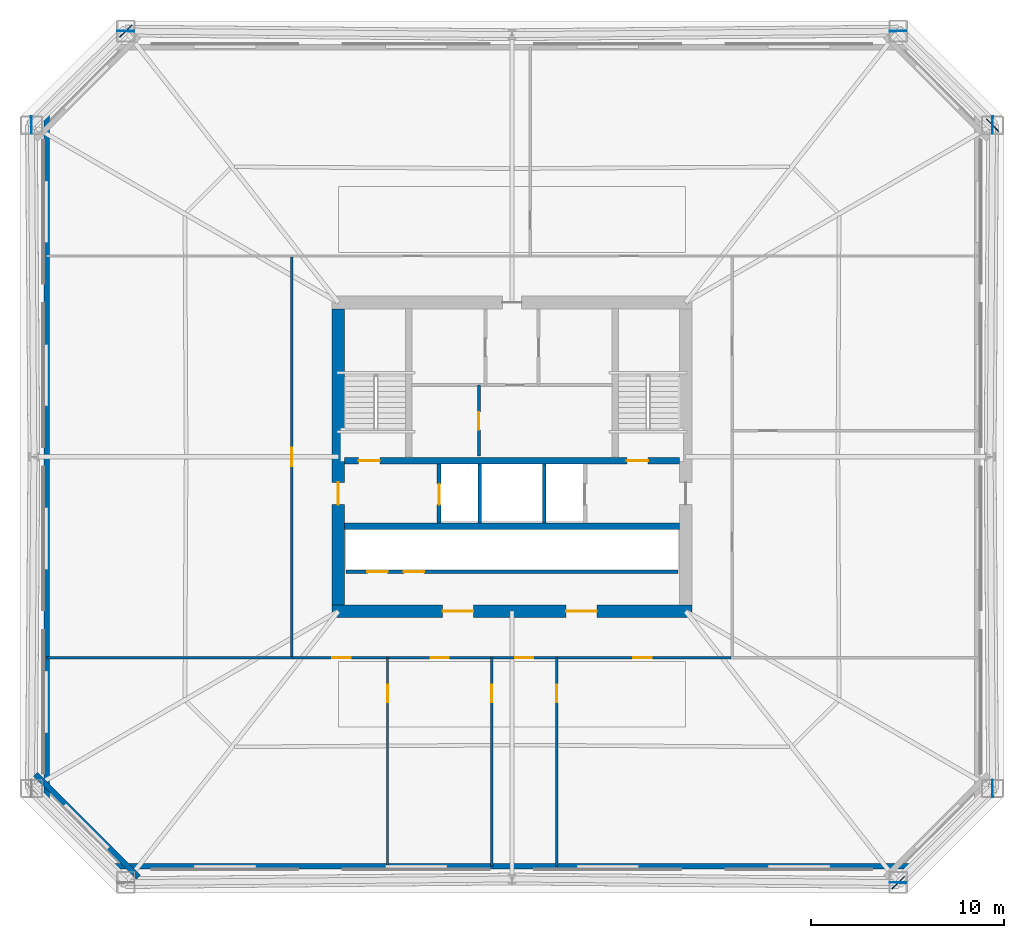
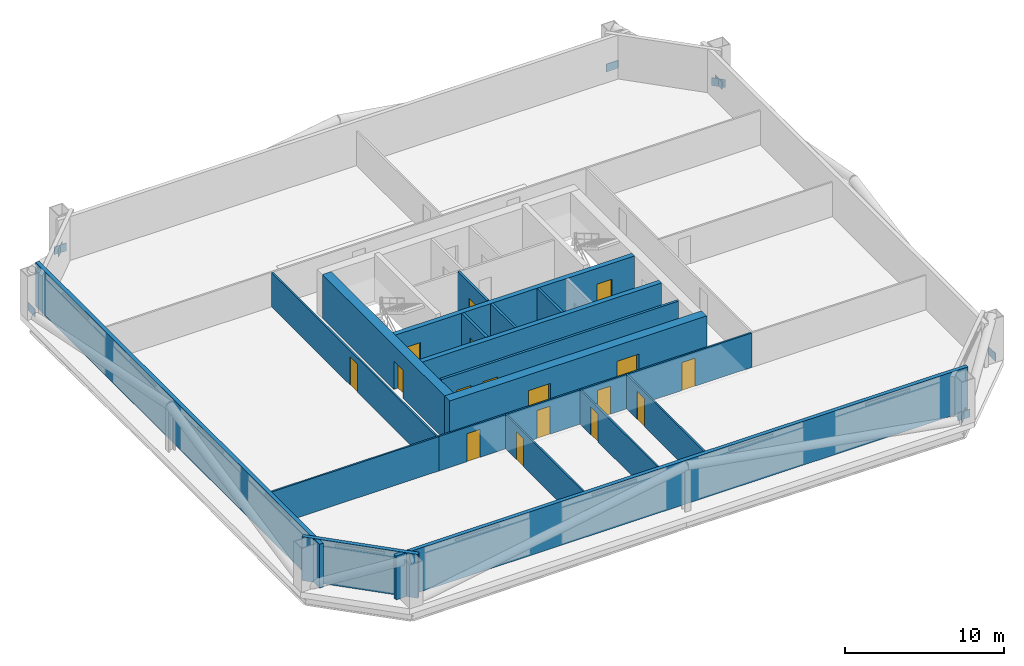
# One storey, part 4 of 8: 18 walls, 17 doors, 9 plates, 17 openings.
"""IFC4 building model written with IfcOpenShell, lengths in metres."""

from ifc_helpers import new_model, si_unit, direction, frame, frame_2d, origin, origin_2d, place, context, subcontext, project, spatial, rectangle, extrude, material, layer, layer_set, type_object, element, fill, save


model = new_model("IFC4")

# Units and contexts
model_context = context("Model", 3, precision=1e-05, world=origin(), true_north=direction((0.0, 1.0)))
body_context = subcontext(model_context, "Body", "Model", "MODEL_VIEW")
ifc_project = project(units=[si_unit("LENGTHUNIT", "METRE"), si_unit("AREAUNIT", "SQUARE_METRE"), si_unit("VOLUMEUNIT", "CUBIC_METRE"), si_unit("PLANEANGLEUNIT", "RADIAN"), si_unit("MASSUNIT", "GRAM", prefix="KILO")], contexts=[model_context])

# Site, building, storey
site_placement = place(None, origin())
site = spatial("IfcSite", under=ifc_project, at=site_placement, CompositionType="ELEMENT")
building_placement = place(site_placement, origin())
building = spatial("IfcBuilding", under=site, at=building_placement, Name="Caelvoria Tower", CompositionType="ELEMENT")
storey_placement = place(building_placement, frame((0.0, 0.0, 49.60009765625)))
storey = spatial("IfcBuildingStorey", under=building, at=storey_placement, Name="L12", CompositionType="ELEMENT", Elevation=49.60009765625)

# Plates
ifc_material_1 = material(Name="Structural Steel ASTM A572 Gr.50", Category="steel")
ifc_layer_1 = layer(ifc_material_1, 0.0400390625, Name="Structural Steel ASTM A572 Gr.50")
ifc_layer_set_1 = layer_set([ifc_layer_1], Name="Megaframe Node Gusset Plate 900x600x40 - Structural Steel ASTM A572 Gr.50")
plate_type = type_object("IfcPlateType", Name="Megaframe Node Gusset Plate 900x600x40", PredefinedType="USERDEFINED", material=ifc_layer_set_1)
for number, where, z_axis, x_axis, name in (
    (1, (66.016357421875, 9.933349609375, 0.019775390625), (0.0, 0.0, 1.0), (0.708220325679, 0.705991480328, 0.0), "Chamfer Mega Brace Gusset L12 SE"),
    (2, (70.907470703125, 49.19091796875, 0.019775390625), (0.0, 0.0, 1.0), (-0.708220325679, 0.705991480328, 0.0), "Chamfer Mega Brace Gusset L12 NE"),
    (3, (25.983642578125, 54.066650390625, 0.019775390625), (0.0, 0.0, 1.0), (-0.708220325679, -0.705991480328, 0.0), "Chamfer Mega Brace Gusset L12 NW"),
    (4, (66.016357421875, 9.933349609375, 0.0498046875), (0.0, 0.0, 1.0), (-0.999956503482, 0.009326904291, 0.0), "Megaframe Node Gusset Plate ND-01"),
    (5, (70.907470703125, 14.80908203125, 0.0498046875), (0.0, 0.0, 1.0), (-0.007410600174, 0.999972541126, 0.0), "Megaframe Node Gusset Plate ND-01"),
    (6, (70.907470703125, 49.19091796875, 0.0498046875), (0.0, 0.0, 1.0), (-0.007410600174, -0.999972541126, 0.0), "Megaframe Node Gusset Plate ND-01"),
    (7, (66.016357421875, 54.066650390625, 0.0498046875), (0.0, 0.0, 1.0), (-0.999956503482, -0.009326904291, 0.0), "Megaframe Node Gusset Plate ND-01"),
    (8, (25.983642578125, 54.066650390625, 0.0498046875), (0.0, 0.0, 1.0), (0.999956503482, -0.009326904291, 0.0), "Megaframe Node Gusset Plate ND-01"),
    (9, (21.092529296875, 49.19091796875, 0.0498046875), (0.0, 0.0, 1.0), (0.007410600174, -0.999972541126, 0.0), "Megaframe Node Gusset Plate ND-01"),
):
    element("IfcPlate", number, at=place(storey_placement, frame(where, z_axis=z_axis, x_axis=x_axis)), inside=storey, type_object=plate_type, Name=name, ObjectType="GUSSET_PLATE", PredefinedType="USERDEFINED", context=body_context, shape_type="SweptSolid", body=[
        extrude(rectangle(XDim=0.89990234375, YDim=0.0400390625, at=origin_2d()), origin(), (0.0, 0.0, 1.0), 0.60009765625),
    ])

# Wall, openings, doors
ifc_material_2 = material(Name="Concrete C50/60", Category="concrete")
ifc_layer_2 = layer(ifc_material_2, 0.35009765625, Name="Concrete C50/60")
ifc_layer_set_2 = layer_set([ifc_layer_2], Name="Core Internal Shear Wall 350 - Concrete C50/60")
wall_type_1 = type_object("IfcWallType", Name="Core Internal Shear Wall 350", PredefinedType="SHEAR", material=ifc_layer_set_2)
wall_1_placement = place(storey_placement, frame((37.324951171875, 31.800048828125, 0.0), z_axis=(0.0, 0.0, 1.0), x_axis=(1.0, 0.0, 0.0)))
wall_1 = element("IfcWall", 10, at=wall_1_placement, inside=storey, type_object=wall_type_1, Name="Core Shear Wall L12 M1", PredefinedType="SHEAR", context=body_context, shape_type="SweptSolid", body=[
    extrude(rectangle(XDim=17.35009765625, YDim=0.35009765625, at=frame_2d((8.675048828125, 0.0))), origin(), (0.0, 0.0, 1.0), 3.35986328125),
])
opening_1_placement = place(wall_1_placement, frame((0.72509765625, 0.0, 0.0)))
opening_1 = element("IfcOpeningElement", 11, at=opening_1_placement, cuts=wall_1, Name="Opening ID-01", PredefinedType="OPENING", context=body_context, shape_type="SweptSolid", body=[
    extrude(rectangle(XDim=1.10009765625, YDim=2.14990234375, at=frame_2d((0.550048828125, 1.074951171875))), frame((0.0, 0.18505859375, 0.0), z_axis=(0.0, -1.0, 0.0), x_axis=(1.0, 0.0, 0.0)), (0.0, 0.0, 1.0), 0.3701171875),
])
opening_2_placement = place(wall_1_placement, frame((14.625, 0.0, 0.0)))
opening_2 = element("IfcOpeningElement", 12, at=opening_2_placement, cuts=wall_1, Name="Opening ID-01", PredefinedType="OPENING", context=body_context, shape_type="SweptSolid", body=[
    extrude(rectangle(XDim=1.10009765625, YDim=2.14990234375, at=frame_2d((0.550048828125, 1.074951171875))), frame((0.0, 0.18505859375, 0.0), z_axis=(0.0, -1.0, 0.0), x_axis=(1.0, 0.0, 0.0)), (0.0, 0.0, 1.0), 0.3701171875),
])
ifc_material_3 = material(Name="Painted Hollow Steel Fire Door", Category="steel")
door_type_1 = type_object("IfcDoorType", Name="Fire Door FD90S 1100x2150", OperationType="NOTDEFINED", PredefinedType="DOOR", material=ifc_material_3)
door_1_placement = place(opening_1_placement, origin())
door_1 = element("IfcDoor", 13, at=door_1_placement, inside=storey, type_object=door_type_1, Name="Core Door DR-L12-ST1", OperationType="SINGLE_SWING_LEFT", OverallHeight=2.14990234375, OverallWidth=1.10009765625, PredefinedType="DOOR", context=body_context, shape_type="SweptSolid", body=[
    extrude(rectangle(XDim=1.10009765625, YDim=2.14990234375, at=frame_2d((0.550048828125, 1.074951171875))), frame((0.0, 0.02490234375, 0.0), z_axis=(0.0, -1.0, 0.0), x_axis=(1.0, 0.0, 0.0)), (0.0, 0.0, 1.0), 0.050048828125),
])
fill(opening_1, door_1)
door_2_placement = place(opening_2_placement, origin())
door_2 = element("IfcDoor", 14, at=door_2_placement, inside=storey, type_object=door_type_1, Name="Core Door DR-L12-ST2", OperationType="SINGLE_SWING_RIGHT", OverallHeight=2.14990234375, OverallWidth=1.10009765625, PredefinedType="DOOR", context=body_context, shape_type="SweptSolid", body=[
    extrude(rectangle(XDim=1.10009765625, YDim=2.14990234375, at=frame_2d((0.550048828125, 1.074951171875))), frame((0.0, 0.02490234375, 0.0), z_axis=(0.0, -1.0, 0.0), x_axis=(1.0, 0.0, 0.0)), (0.0, 0.0, 1.0), 0.050048828125),
])
fill(opening_2, door_2)

# Wall
wall_2_placement = place(storey_placement, frame((37.324951171875, 28.39990234375, 0.0), z_axis=(0.0, 0.0, 1.0), x_axis=(1.0, 0.0, 0.0)))
element("IfcWall", 15, at=wall_2_placement, inside=storey, type_object=wall_type_1, Name="Core Shear Wall L12 M2", PredefinedType="SHEAR", context=body_context, shape_type="SweptSolid", body=[
    extrude(rectangle(XDim=17.35009765625, YDim=0.35009765625, at=frame_2d((8.675048828125, 0.0))), origin(), (0.0, 0.0, 1.0), 3.35986328125),
])

# Wall, opening, door
ifc_material_4 = material(Name="Double Gypsum Board on Steel Stud", Category="steel")
ifc_layer_3 = layer(ifc_material_4, 0.14990234375, Name="Double Gypsum Board on Steel Stud")
ifc_layer_set_3 = layer_set([ifc_layer_3], Name="Core Service Acoustic Partition Wall 150 - Double Gypsum Board on Steel Stud")
wall_type_2 = type_object("IfcWallType", Name="Core Service Acoustic Partition Wall 150", PredefinedType="PARTITIONING", material=ifc_layer_set_3)
wall_3_placement = place(storey_placement, frame((44.280029296875, 32.050048828125, 0.0), z_axis=(0.0, 0.0, 1.0), x_axis=(0.0, 1.0, 0.0)))
wall_3 = element("IfcWall", 16, at=wall_3_placement, inside=storey, type_object=wall_type_2, Name="Interior Partition IW-L12-C0M", PredefinedType="PARTITIONING", context=body_context, shape_type="SweptSolid", body=[
    extrude(rectangle(XDim=3.669921875, YDim=0.14990234375, at=frame_2d((1.8349609375, 0.0))), origin(), (0.0, 0.0, 1.0), 3.35986328125),
])
opening_3_placement = place(wall_3_placement, frame((1.35009765625, 0.0, 0.0)))
opening_3 = element("IfcOpeningElement", 17, at=opening_3_placement, cuts=wall_3, Name="Opening ID-07", PredefinedType="OPENING", context=body_context, shape_type="SweptSolid", body=[
    extrude(rectangle(XDim=0.919921875, YDim=2.14990234375, at=frame_2d((0.4599609375, 1.074951171875))), frame((0.0, 0.0849609375, 0.0), z_axis=(0.0, -1.0, 0.0), x_axis=(1.0, 0.0, 0.0)), (0.0, 0.0, 1.0), 0.169921875),
])
ifc_material_5 = material(Name="Engineered Andean Oak Accessible Door", Category="wood")
door_type_2 = type_object("IfcDoorType", Name="Accessible WC Door 950x2150", OperationType="NOTDEFINED", PredefinedType="DOOR", material=ifc_material_5)
door_3_placement = place(opening_3_placement, origin())
door_3 = element("IfcDoor", 18, at=door_3_placement, inside=storey, type_object=door_type_2, Name="Interior Door DR-L12-C05", OperationType="SINGLE_SWING_LEFT", OverallHeight=2.14990234375, OverallWidth=0.919921875, PredefinedType="DOOR", context=body_context, shape_type="SweptSolid", body=[
    extrude(rectangle(XDim=0.919921875, YDim=2.14990234375, at=frame_2d((0.4599609375, 1.074951171875))), frame((0.0, 0.02490234375, 0.0), z_axis=(0.0, -1.0, 0.0), x_axis=(1.0, 0.0, 0.0)), (0.0, 0.0, 1.0), 0.050048828125),
])
fill(opening_3, door_3)

# Walls
ifc_material_6 = material(Name="Precast Concrete C40/50 with Bronze Cladding", Category="concrete")
ifc_layer_4 = layer(ifc_material_6, 0.280029296875, Name="Precast Concrete C40/50 with Bronze Cladding")
ifc_layer_set_4 = layer_set([ifc_layer_4], Name="Exterior Precast Concrete C40/50 Bronze-Clad Facade Wall 280 - Precast Concrete C40/50 with Bronze Cladding")
wall_type_3 = type_object("IfcWallType", Name="Exterior Precast Concrete C40/50 Bronze-Clad Facade Wall 280", PredefinedType="STANDARD", material=ifc_layer_set_4)
wall_4_placement = place(storey_placement, frame((25.260009765625, 10.780029296875, 0.0), z_axis=(0.0, 0.0, 1.0), x_axis=(1.0, 0.0, 0.0)))
element("IfcWall", 19, at=wall_4_placement, inside=storey, type_object=wall_type_3, Name="Exterior Facade Wall L12-E0", PredefinedType="STANDARD", context=body_context, shape_type="SweptSolid", body=[
    extrude(rectangle(XDim=41.47998046875, YDim=0.280029296875, at=frame_2d((20.739990234375, 0.0))), origin(), (0.0, 0.0, 1.0), 3.35986328125),
])
wall_5_placement = place(storey_placement, frame((21.8798828125, 49.840087890625, 0.0), z_axis=(0.0, 0.0, 1.0), x_axis=(0.0, -1.0, 0.0)))
element("IfcWall", 20, at=wall_5_placement, inside=storey, type_object=wall_type_3, Name="Exterior Facade Wall L12-E6", PredefinedType="STANDARD", context=body_context, shape_type="SweptSolid", body=[
    extrude(rectangle(XDim=35.68017578125, YDim=0.280029296875, at=frame_2d((17.840087890625, 0.0))), origin(), (0.0, 0.0, 1.0), 3.35986328125),
])
wall_6_placement = place(storey_placement, frame((21.30615234375, 15.54541015625, 0.0), z_axis=(0.0, 0.0, 1.0), x_axis=(0.707106781187, -0.707106781187, 0.0)))
element("IfcWall", 21, at=wall_6_placement, inside=storey, type_object=wall_type_3, Name="Exterior Facade Wall L12-E7", PredefinedType="STANDARD", context=body_context, shape_type="SweptSolid", body=[
    extrude(rectangle(XDim=7.551025390625, YDim=0.280029296875, at=frame_2d((3.775390625, 0.0))), origin(), (0.0, 0.0, 1.0), 3.35986328125),
])
ifc_material_7 = material(Name="Concrete Block and Fireboard Assembly", Category="concrete")
ifc_layer_5 = layer(ifc_material_7, 0.179931640625, Name="Concrete Block and Fireboard Assembly")
ifc_layer_set_5 = layer_set([ifc_layer_5], Name="Fire-Rated Hoistway Partition Wall 180 - Concrete Block and Fireboard Assembly")
wall_type_4 = type_object("IfcWallType", Name="Fire-Rated Hoistway Partition Wall 180", PredefinedType="PARTITIONING", material=ifc_layer_set_5)
for number, where, z_axis, x_axis, name in (
    (22, (44.320068359375, 28.580078125, 0.0), (0.0, 0.0, 1.0), (0.0, 1.0, 0.0), "Interior Partition IW-L12-SV1W"),
    (23, (47.679931640625, 28.580078125, 0.0), (0.0, 0.0, 1.0), (0.0, 1.0, 0.0), "Interior Partition IW-L12-SV1E"),
):
    element("IfcWall", number, at=place(storey_placement, frame(where, z_axis=z_axis, x_axis=x_axis)), inside=storey, type_object=wall_type_4, Name=name, PredefinedType="PARTITIONING", context=body_context, shape_type="SweptSolid", body=[
        extrude(rectangle(XDim=3.0400390625, YDim=0.179931640625, at=frame_2d((1.52001953125, 0.0))), origin(), (0.0, 0.0, 1.0), 3.35986328125),
    ])

# Wall, openings, doors
wall_7_placement = place(storey_placement, frame((37.39990234375, 26.050048828125, 0.0), z_axis=(0.0, 0.0, 1.0), x_axis=(1.0, 0.0, 0.0)))
wall_7 = element("IfcWall", 24, at=wall_7_placement, inside=storey, type_object=wall_type_4, Name="Interior Partition IW-L12-LFRONT", PredefinedType="PARTITIONING", context=body_context, shape_type="SweptSolid", body=[
    extrude(rectangle(XDim=17.2001953125, YDim=0.179931640625, at=frame_2d((8.60009765625, 0.0))), origin(), (0.0, 0.0, 1.0), 3.35986328125),
])
opening_4_placement = place(wall_7_placement, frame((1.10009765625, 0.0, 0.0)))
opening_4 = element("IfcOpeningElement", 25, at=opening_4_placement, cuts=wall_7, Name="Opening LD-01", PredefinedType="OPENING", context=body_context, shape_type="SweptSolid", body=[
    extrude(rectangle(XDim=1.050048828125, YDim=2.14990234375, at=frame_2d((0.52490234375, 1.074951171875))), frame((0.0, 0.099853515625, 0.0), z_axis=(0.0, -1.0, 0.0), x_axis=(1.0, 0.0, 0.0)), (0.0, 0.0, 1.0), 0.199951171875),
])
opening_5_placement = place(wall_7_placement, frame((3.0, 0.0, 0.0)))
opening_5 = element("IfcOpeningElement", 26, at=opening_5_placement, cuts=wall_7, Name="Opening LD-01", PredefinedType="OPENING", context=body_context, shape_type="SweptSolid", body=[
    extrude(rectangle(XDim=1.050048828125, YDim=2.14990234375, at=frame_2d((0.52490234375, 1.074951171875))), frame((0.0, 0.099853515625, 0.0), z_axis=(0.0, -1.0, 0.0), x_axis=(1.0, 0.0, 0.0)), (0.0, 0.0, 1.0), 0.199951171875),
])
ifc_material_8 = material(Name="Brushed Bronze Stainless Sliding Landing Door", Category="aluminium")
door_type_3 = type_object("IfcDoorType", Name="Lift Landing Sliding Door 1100x2150", OperationType="NOTDEFINED", PredefinedType="DOOR", material=ifc_material_8)
door_4_placement = place(opening_4_placement, origin())
door_4 = element("IfcDoor", 27, at=door_4_placement, inside=storey, type_object=door_type_3, Name="Interior Door LD-L12-PL1", OperationType="SLIDING_TO_LEFT", OverallHeight=2.14990234375, OverallWidth=1.050048828125, PredefinedType="DOOR", context=body_context, shape_type="SweptSolid", body=[
    extrude(rectangle(XDim=1.050048828125, YDim=2.14990234375, at=frame_2d((0.52490234375, 1.074951171875))), frame((0.0, 0.02490234375, 0.0), z_axis=(0.0, -1.0, 0.0), x_axis=(1.0, 0.0, 0.0)), (0.0, 0.0, 1.0), 0.050048828125),
])
fill(opening_4, door_4)
door_5_placement = place(opening_5_placement, origin())
door_5 = element("IfcDoor", 28, at=door_5_placement, inside=storey, type_object=door_type_3, Name="Interior Door LD-L12-PL2", OperationType="SLIDING_TO_RIGHT", OverallHeight=2.14990234375, OverallWidth=1.050048828125, PredefinedType="DOOR", context=body_context, shape_type="SweptSolid", body=[
    extrude(rectangle(XDim=1.050048828125, YDim=2.14990234375, at=frame_2d((0.52490234375, 1.074951171875))), frame((0.0, 0.02490234375, 0.0), z_axis=(0.0, -1.0, 0.0), x_axis=(1.0, 0.0, 0.0)), (0.0, 0.0, 1.0), 0.050048828125),
])
fill(opening_5, door_5)

# Wall, opening, door
ifc_layer_6 = layer(ifc_material_7, 0.199951171875, Name="Concrete Block and Fireboard Assembly")
ifc_layer_set_6 = layer_set([ifc_layer_6], Name="Fire-Rated Shaft and Core Partition Wall 200 - Concrete Block and Fireboard Assembly")
wall_type_5 = type_object("IfcWallType", Name="Fire-Rated Shaft and Core Partition Wall 200", PredefinedType="PARTITIONING", material=ifc_layer_set_6)
wall_8_placement = place(storey_placement, frame((42.219970703125, 28.580078125, 0.0), z_axis=(0.0, 0.0, 1.0), x_axis=(0.0, 1.0, 0.0)))
wall_8 = element("IfcWall", 29, at=wall_8_placement, inside=storey, type_object=wall_type_5, Name="Interior Partition IW-L12-LF1W", PredefinedType="PARTITIONING", context=body_context, shape_type="SweptSolid", body=[
    extrude(rectangle(XDim=3.0400390625, YDim=0.199951171875, at=frame_2d((1.52001953125, 0.0))), origin(), (0.0, 0.0, 1.0), 3.35986328125),
])
opening_6_placement = place(wall_8_placement, frame((0.949951171875, 0.0, 0.0)))
opening_6 = element("IfcOpeningElement", 30, at=opening_6_placement, cuts=wall_8, Name="Opening LD-01", PredefinedType="OPENING", context=body_context, shape_type="SweptSolid", body=[
    extrude(rectangle(XDim=1.050048828125, YDim=2.14990234375, at=frame_2d((0.52490234375, 1.074951171875))), frame((0.0, 0.10986328125, 0.0), z_axis=(0.0, -1.0, 0.0), x_axis=(1.0, 0.0, 0.0)), (0.0, 0.0, 1.0), 0.219970703125),
])
door_6_placement = place(opening_6_placement, origin())
door_6 = element("IfcDoor", 31, at=door_6_placement, inside=storey, type_object=door_type_3, Name="Interior Door LD-L12-LF1", OperationType="SLIDING_TO_LEFT", OverallHeight=2.14990234375, OverallWidth=1.050048828125, PredefinedType="DOOR", context=body_context, shape_type="SweptSolid", body=[
    extrude(rectangle(XDim=1.050048828125, YDim=2.14990234375, at=frame_2d((0.52490234375, 1.074951171875))), frame((0.0, 0.02490234375, 0.0), z_axis=(0.0, -1.0, 0.0), x_axis=(1.0, 0.0, 0.0)), (0.0, 0.0, 1.0), 0.050048828125),
])
fill(opening_6, door_6)

# Wall, openings, doors
ifc_material_9 = material(Name="Concrete C60/75", Category="concrete")
ifc_layer_7 = layer(ifc_material_9, 0.64990234375, Name="Concrete C60/75")
ifc_layer_set_7 = layer_set([ifc_layer_7], Name="Lower Core Shear Wall 650 - Concrete C60/75")
wall_type_6 = type_object("IfcWallType", Name="Lower Core Shear Wall 650", PredefinedType="SHEAR", material=ifc_layer_set_7)
wall_9_placement = place(storey_placement, frame((36.675048828125, 24.0, 0.0), z_axis=(0.0, 0.0, 1.0), x_axis=(1.0, 0.0, 0.0)))
wall_9 = element("IfcWall", 32, at=wall_9_placement, inside=storey, type_object=wall_type_6, Name="Core Shear Wall L12 S", PredefinedType="SHEAR", context=body_context, shape_type="SweptSolid", body=[
    extrude(rectangle(XDim=18.64990234375, YDim=0.64990234375, at=frame_2d((9.324951171875, 0.0))), origin(), (0.0, 0.0, 1.0), 3.35986328125),
])
opening_7_placement = place(wall_9_placement, frame((5.72509765625, 0.0, 0.0)))
opening_7 = element("IfcOpeningElement", 33, at=opening_7_placement, cuts=wall_9, Name="Opening ID-08", PredefinedType="OPENING", context=body_context, shape_type="SweptSolid", body=[
    extrude(rectangle(XDim=1.60009765625, YDim=2.14990234375, at=frame_2d((0.800048828125, 1.074951171875))), frame((0.0, 0.3349609375, 0.0), z_axis=(0.0, -1.0, 0.0), x_axis=(1.0, 0.0, 0.0)), (0.0, 0.0, 1.0), 0.669921875),
])
opening_8_placement = place(wall_9_placement, frame((12.125, 0.0, 0.0)))
opening_8 = element("IfcOpeningElement", 34, at=opening_8_placement, cuts=wall_9, Name="Opening ID-08", PredefinedType="OPENING", context=body_context, shape_type="SweptSolid", body=[
    extrude(rectangle(XDim=1.60009765625, YDim=2.14990234375, at=frame_2d((0.800048828125, 1.074951171875))), frame((0.0, 0.3349609375, 0.0), z_axis=(0.0, -1.0, 0.0), x_axis=(1.0, 0.0, 0.0)), (0.0, 0.0, 1.0), 0.669921875),
])
ifc_material_10 = material(Name="Bronze-Framed Fire-Rated Glazed Double Door", Category="aluminium")
door_type_4 = type_object("IfcDoorType", Name="Double Lobby Glazed Door 1600x2200", OperationType="NOTDEFINED", PredefinedType="DOOR", material=ifc_material_10)
door_7_placement = place(opening_7_placement, origin())
door_7 = element("IfcDoor", 35, at=door_7_placement, inside=storey, type_object=door_type_4, Name="Core Door DR-L12-LLOB-S1", OperationType="DOUBLE_DOOR_SINGLE_SWING", OverallHeight=2.14990234375, OverallWidth=1.60009765625, PredefinedType="DOOR", context=body_context, shape_type="SweptSolid", body=[
    extrude(rectangle(XDim=1.60009765625, YDim=2.14990234375, at=frame_2d((0.800048828125, 1.074951171875))), frame((0.0, 0.02490234375, 0.0), z_axis=(0.0, -1.0, 0.0), x_axis=(1.0, 0.0, 0.0)), (0.0, 0.0, 1.0), 0.050048828125),
])
fill(opening_7, door_7)
door_8_placement = place(opening_8_placement, origin())
door_8 = element("IfcDoor", 36, at=door_8_placement, inside=storey, type_object=door_type_4, Name="Core Door DR-L12-LLOB-S2", OperationType="DOUBLE_DOOR_SINGLE_SWING", OverallHeight=2.14990234375, OverallWidth=1.60009765625, PredefinedType="DOOR", context=body_context, shape_type="SweptSolid", body=[
    extrude(rectangle(XDim=1.60009765625, YDim=2.14990234375, at=frame_2d((0.800048828125, 1.074951171875))), frame((0.0, 0.02490234375, 0.0), z_axis=(0.0, -1.0, 0.0), x_axis=(1.0, 0.0, 0.0)), (0.0, 0.0, 1.0), 0.050048828125),
])
fill(opening_8, door_8)

# Wall, opening, door
wall_10_placement = place(storey_placement, frame((37.0, 24.324951171875, 0.0), z_axis=(0.0, 0.0, 1.0), x_axis=(0.0, 1.0, 0.0)))
wall_10 = element("IfcWall", 37, at=wall_10_placement, inside=storey, type_object=wall_type_6, Name="Core Shear Wall L12 W", PredefinedType="SHEAR", context=body_context, shape_type="SweptSolid", body=[
    extrude(rectangle(XDim=15.35009765625, YDim=0.64990234375, at=frame_2d((7.675048828125, 0.0))), origin(), (0.0, 0.0, 1.0), 3.35986328125),
])
opening_9_placement = place(wall_10_placement, frame((5.199951171875, 0.0, 0.0)))
opening_9 = element("IfcOpeningElement", 38, at=opening_9_placement, cuts=wall_10, Name="Opening ID-02", PredefinedType="OPENING", context=body_context, shape_type="SweptSolid", body=[
    extrude(rectangle(XDim=1.14990234375, YDim=2.14990234375, at=frame_2d((0.574951171875, 1.074951171875))), frame((0.0, 0.3349609375, 0.0), z_axis=(0.0, -1.0, 0.0), x_axis=(1.0, 0.0, 0.0)), (0.0, 0.0, 1.0), 0.669921875),
])
door_type_5 = type_object("IfcDoorType", Name="Fire Door FD60S 1150x2150", OperationType="NOTDEFINED", PredefinedType="DOOR", material=ifc_material_3)
door_9_placement = place(opening_9_placement, origin())
door_9 = element("IfcDoor", 39, at=door_9_placement, inside=storey, type_object=door_type_5, Name="Core Door DR-L12-FFLW-OUT", OperationType="SINGLE_SWING_LEFT", OverallHeight=2.14990234375, OverallWidth=1.14990234375, PredefinedType="DOOR", context=body_context, shape_type="SweptSolid", body=[
    extrude(rectangle(XDim=1.14990234375, YDim=2.14990234375, at=frame_2d((0.574951171875, 1.074951171875))), frame((0.0, 0.02490234375, 0.0), z_axis=(0.0, -1.0, 0.0), x_axis=(1.0, 0.0, 0.0)), (0.0, 0.0, 1.0), 0.050048828125),
])
fill(opening_9, door_9)

ifc_material_11 = material(Name="Acoustic Gypsum Board on Light-Gauge Stud", Category="gypsum")
ifc_layer_8 = layer(ifc_material_11, 0.1201171875, Name="Acoustic Gypsum Board on Light-Gauge Stud")
ifc_layer_set_8 = layer_set([ifc_layer_8], Name="Tenant Suite Acoustic Partition Wall 120 - Acoustic Gypsum Board on Light-Gauge Stud")
wall_type_7 = type_object("IfcWallType", Name="Tenant Suite Acoustic Partition Wall 120", PredefinedType="PARTITIONING", material=ifc_layer_set_8)
wall_11_placement = place(storey_placement, frame((39.551025390625, 21.590087890625, 0.0), z_axis=(0.0, 0.0, 1.0), x_axis=(0.0, -1.0, 0.0)))
wall_11 = element("IfcWall", 40, at=wall_11_placement, inside=storey, type_object=wall_type_7, Name="Interior Partition IW-L12-SD-00-0", PredefinedType="PARTITIONING", context=body_context, shape_type="SweptSolid", body=[
    extrude(rectangle(XDim=10.81005859375, YDim=0.1201171875, at=frame_2d((5.405029296875, 0.0))), origin(), (0.0, 0.0, 1.0), 2.639892578125),
])
opening_10_placement = place(wall_11_placement, frame((1.39990234375, 0.0, 0.0)))
opening_10 = element("IfcOpeningElement", 41, at=opening_10_placement, cuts=wall_11, Name="Opening ID-06", PredefinedType="OPENING", context=body_context, shape_type="SweptSolid", body=[
    extrude(rectangle(XDim=0.89990234375, YDim=2.14990234375, at=frame_2d((0.449951171875, 1.074951171875))), frame((0.0, 0.070068359375, 0.0), z_axis=(0.0, -1.0, 0.0), x_axis=(1.0, 0.0, 0.0)), (0.0, 0.0, 1.0), 0.14013671875),
])
ifc_material_12 = material(Name="Engineered Andean Oak Veneer Door", Category="wood")
door_type_6 = type_object("IfcDoorType", Name="Interior Timber Door 900x2150", OperationType="NOTDEFINED", PredefinedType="DOOR", material=ifc_material_12)
door_10_placement = place(opening_10_placement, origin())
door_10 = element("IfcDoor", 42, at=door_10_placement, inside=storey, type_object=door_type_6, Name="Interior Door DR-L12-SM-00-0", OperationType="SINGLE_SWING_RIGHT", OverallHeight=2.14990234375, OverallWidth=0.89990234375, PredefinedType="DOOR", context=body_context, shape_type="SweptSolid", body=[
    extrude(rectangle(XDim=0.89990234375, YDim=2.14990234375, at=frame_2d((0.449951171875, 1.074951171875))), frame((0.0, 0.02490234375, 0.0), z_axis=(0.0, -1.0, 0.0), x_axis=(1.0, 0.0, 0.0)), (0.0, 0.0, 1.0), 0.050048828125),
])
fill(opening_10, door_10)

wall_12_placement = place(storey_placement, frame((44.95166015625, 21.590087890625, 0.0), z_axis=(0.0, 0.0, 1.0), x_axis=(0.0, -1.0, 0.0)))
wall_12 = element("IfcWall", 43, at=wall_12_placement, inside=storey, type_object=wall_type_7, Name="Interior Partition IW-L12-SD-01-0", PredefinedType="PARTITIONING", context=body_context, shape_type="SweptSolid", body=[
    extrude(rectangle(XDim=10.81005859375, YDim=0.1201171875, at=frame_2d((5.405029296875, 0.0))), origin(), (0.0, 0.0, 1.0), 2.639892578125),
])
opening_11_placement = place(wall_12_placement, frame((1.39990234375, 0.0, 0.0)))
opening_11 = element("IfcOpeningElement", 44, at=opening_11_placement, cuts=wall_12, Name="Opening ID-06", PredefinedType="OPENING", context=body_context, shape_type="SweptSolid", body=[
    extrude(rectangle(XDim=0.89990234375, YDim=2.14990234375, at=frame_2d((0.449951171875, 1.074951171875))), frame((0.0, 0.070068359375, 0.0), z_axis=(0.0, -1.0, 0.0), x_axis=(1.0, 0.0, 0.0)), (0.0, 0.0, 1.0), 0.14013671875),
])
door_11_placement = place(opening_11_placement, origin())
door_11 = element("IfcDoor", 45, at=door_11_placement, inside=storey, type_object=door_type_6, Name="Interior Door DR-L12-SM-01-0", OperationType="SINGLE_SWING_LEFT", OverallHeight=2.14990234375, OverallWidth=0.89990234375, PredefinedType="DOOR", context=body_context, shape_type="SweptSolid", body=[
    extrude(rectangle(XDim=0.89990234375, YDim=2.14990234375, at=frame_2d((0.449951171875, 1.074951171875))), frame((0.0, 0.02490234375, 0.0), z_axis=(0.0, -1.0, 0.0), x_axis=(1.0, 0.0, 0.0)), (0.0, 0.0, 1.0), 0.050048828125),
])
fill(opening_11, door_11)

wall_13_placement = place(storey_placement, frame((48.31591796875, 21.590087890625, 0.0), z_axis=(0.0, 0.0, 1.0), x_axis=(0.0, -1.0, 0.0)))
wall_13 = element("IfcWall", 46, at=wall_13_placement, inside=storey, type_object=wall_type_7, Name="Interior Partition IW-L12-SD-02-0", PredefinedType="PARTITIONING", context=body_context, shape_type="SweptSolid", body=[
    extrude(rectangle(XDim=10.81005859375, YDim=0.1201171875, at=frame_2d((5.405029296875, 0.0))), origin(), (0.0, 0.0, 1.0), 2.639892578125),
])
opening_12_placement = place(wall_13_placement, frame((1.39990234375, 0.0, 0.0)))
opening_12 = element("IfcOpeningElement", 47, at=opening_12_placement, cuts=wall_13, Name="Opening ID-06", PredefinedType="OPENING", context=body_context, shape_type="SweptSolid", body=[
    extrude(rectangle(XDim=0.89990234375, YDim=2.14990234375, at=frame_2d((0.449951171875, 1.074951171875))), frame((0.0, 0.070068359375, 0.0), z_axis=(0.0, -1.0, 0.0), x_axis=(1.0, 0.0, 0.0)), (0.0, 0.0, 1.0), 0.14013671875),
])
door_12_placement = place(opening_12_placement, origin())
door_12 = element("IfcDoor", 48, at=door_12_placement, inside=storey, type_object=door_type_6, Name="Interior Door DR-L12-SM-02-0", OperationType="SINGLE_SWING_RIGHT", OverallHeight=2.14990234375, OverallWidth=0.89990234375, PredefinedType="DOOR", context=body_context, shape_type="SweptSolid", body=[
    extrude(rectangle(XDim=0.89990234375, YDim=2.14990234375, at=frame_2d((0.449951171875, 1.074951171875))), frame((0.0, 0.02490234375, 0.0), z_axis=(0.0, -1.0, 0.0), x_axis=(1.0, 0.0, 0.0)), (0.0, 0.0, 1.0), 0.050048828125),
])
fill(opening_12, door_12)

# Wall, openings, doors
wall_14_placement = place(storey_placement, frame((34.64990234375, 21.590087890625, 0.0), z_axis=(0.0, 0.0, 1.0), x_axis=(1.0, 0.0, 0.0)))
wall_14 = element("IfcWall", 49, at=wall_14_placement, inside=storey, type_object=wall_type_7, Name="Interior Partition IW-L12-SCW-0", PredefinedType="PARTITIONING", context=body_context, shape_type="SweptSolid", body=[
    extrude(rectangle(XDim=22.7001953125, YDim=0.1201171875, at=frame_2d((11.35009765625, 0.0))), origin(), (0.0, 0.0, 1.0), 2.639892578125),
])
opening_13_placement = place(wall_14_placement, frame((2.04541015625, 0.0, 0.0)))
opening_13 = element("IfcOpeningElement", 50, at=opening_13_placement, cuts=wall_14, Name="Opening ID-05", PredefinedType="OPENING", context=body_context, shape_type="SweptSolid", body=[
    extrude(rectangle(XDim=0.949951171875, YDim=2.14990234375, at=frame_2d((0.47509765625, 1.074951171875))), frame((0.0, 0.070068359375, 0.0), z_axis=(0.0, -1.0, 0.0), x_axis=(1.0, 0.0, 0.0)), (0.0, 0.0, 1.0), 0.14013671875),
])
opening_14_placement = place(wall_14_placement, frame((7.12646484375, 0.0, 0.0)))
opening_14 = element("IfcOpeningElement", 51, at=opening_14_placement, cuts=wall_14, Name="Opening ID-05", PredefinedType="OPENING", context=body_context, shape_type="SweptSolid", body=[
    extrude(rectangle(XDim=0.949951171875, YDim=2.14990234375, at=frame_2d((0.47509765625, 1.074951171875))), frame((0.0, 0.070068359375, 0.0), z_axis=(0.0, -1.0, 0.0), x_axis=(1.0, 0.0, 0.0)), (0.0, 0.0, 1.0), 0.14013671875),
])
opening_15_placement = place(wall_14_placement, frame((11.5087890625, 0.0, 0.0)))
opening_15 = element("IfcOpeningElement", 52, at=opening_15_placement, cuts=wall_14, Name="Opening ID-05", PredefinedType="OPENING", context=body_context, shape_type="SweptSolid", body=[
    extrude(rectangle(XDim=0.949951171875, YDim=2.14990234375, at=frame_2d((0.47509765625, 1.074951171875))), frame((0.0, 0.070068359375, 0.0), z_axis=(0.0, -1.0, 0.0), x_axis=(1.0, 0.0, 0.0)), (0.0, 0.0, 1.0), 0.14013671875),
])
opening_16_placement = place(wall_14_placement, frame((17.637939453125, 0.0, 0.0)))
opening_16 = element("IfcOpeningElement", 53, at=opening_16_placement, cuts=wall_14, Name="Opening ID-05", PredefinedType="OPENING", context=body_context, shape_type="SweptSolid", body=[
    extrude(rectangle(XDim=0.949951171875, YDim=2.14990234375, at=frame_2d((0.47509765625, 1.074951171875))), frame((0.0, 0.070068359375, 0.0), z_axis=(0.0, -1.0, 0.0), x_axis=(1.0, 0.0, 0.0)), (0.0, 0.0, 1.0), 0.14013671875),
])
door_type_7 = type_object("IfcDoorType", Name="Interior Timber Door 950x2150", OperationType="NOTDEFINED", PredefinedType="DOOR", material=ifc_material_12)
door_13_placement = place(opening_13_placement, origin())
door_13 = element("IfcDoor", 54, at=door_13_placement, inside=storey, type_object=door_type_7, Name="Interior Door DR-L12-SC-00-0", OperationType="SINGLE_SWING_LEFT", OverallHeight=2.14990234375, OverallWidth=0.949951171875, PredefinedType="DOOR", context=body_context, shape_type="SweptSolid", body=[
    extrude(rectangle(XDim=0.949951171875, YDim=2.14990234375, at=frame_2d((0.47509765625, 1.074951171875))), frame((0.0, 0.02490234375, 0.0), z_axis=(0.0, -1.0, 0.0), x_axis=(1.0, 0.0, 0.0)), (0.0, 0.0, 1.0), 0.050048828125),
])
fill(opening_13, door_13)
door_14_placement = place(opening_14_placement, origin())
door_14 = element("IfcDoor", 55, at=door_14_placement, inside=storey, type_object=door_type_7, Name="Interior Door DR-L12-SC-01-0", OperationType="SINGLE_SWING_RIGHT", OverallHeight=2.14990234375, OverallWidth=0.949951171875, PredefinedType="DOOR", context=body_context, shape_type="SweptSolid", body=[
    extrude(rectangle(XDim=0.949951171875, YDim=2.14990234375, at=frame_2d((0.47509765625, 1.074951171875))), frame((0.0, 0.02490234375, 0.0), z_axis=(0.0, -1.0, 0.0), x_axis=(1.0, 0.0, 0.0)), (0.0, 0.0, 1.0), 0.050048828125),
])
fill(opening_14, door_14)
door_15_placement = place(opening_15_placement, origin())
door_15 = element("IfcDoor", 56, at=door_15_placement, inside=storey, type_object=door_type_7, Name="Interior Door DR-L12-SC-02-0", OperationType="SINGLE_SWING_LEFT", OverallHeight=2.14990234375, OverallWidth=0.949951171875, PredefinedType="DOOR", context=body_context, shape_type="SweptSolid", body=[
    extrude(rectangle(XDim=0.949951171875, YDim=2.14990234375, at=frame_2d((0.47509765625, 1.074951171875))), frame((0.0, 0.02490234375, 0.0), z_axis=(0.0, -1.0, 0.0), x_axis=(1.0, 0.0, 0.0)), (0.0, 0.0, 1.0), 0.050048828125),
])
fill(opening_15, door_15)
door_16_placement = place(opening_16_placement, origin())
door_16 = element("IfcDoor", 57, at=door_16_placement, inside=storey, type_object=door_type_7, Name="Interior Door DR-L12-SC-03-0", OperationType="SINGLE_SWING_RIGHT", OverallHeight=2.14990234375, OverallWidth=0.949951171875, PredefinedType="DOOR", context=body_context, shape_type="SweptSolid", body=[
    extrude(rectangle(XDim=0.949951171875, YDim=2.14990234375, at=frame_2d((0.47509765625, 1.074951171875))), frame((0.0, 0.02490234375, 0.0), z_axis=(0.0, -1.0, 0.0), x_axis=(1.0, 0.0, 0.0)), (0.0, 0.0, 1.0), 0.050048828125),
])
fill(opening_16, door_16)

# Wall, opening, door
wall_15_placement = place(storey_placement, frame((34.590087890625, 21.64990234375, 0.0), z_axis=(0.0, 0.0, 1.0), x_axis=(0.0, 1.0, 0.0)))
wall_15 = element("IfcWall", 58, at=wall_15_placement, inside=storey, type_object=wall_type_7, Name="Interior Partition IW-L12-WCW-0", PredefinedType="PARTITIONING", context=body_context, shape_type="SweptSolid", body=[
    extrude(rectangle(XDim=20.7001953125, YDim=0.1201171875, at=frame_2d((10.35009765625, 0.0))), origin(), (0.0, 0.0, 1.0), 2.639892578125),
])
opening_17_placement = place(wall_15_placement, frame((9.875, 0.0, 0.0)))
opening_17 = element("IfcOpeningElement", 59, at=opening_17_placement, cuts=wall_15, Name="Opening ID-05", PredefinedType="OPENING", context=body_context, shape_type="SweptSolid", body=[
    extrude(rectangle(XDim=0.949951171875, YDim=2.14990234375, at=frame_2d((0.47509765625, 1.074951171875))), frame((0.0, 0.070068359375, 0.0), z_axis=(0.0, -1.0, 0.0), x_axis=(1.0, 0.0, 0.0)), (0.0, 0.0, 1.0), 0.14013671875),
])
door_17_placement = place(opening_17_placement, origin())
door_17 = element("IfcDoor", 60, at=door_17_placement, inside=storey, type_object=door_type_7, Name="Interior Door DR-L12-WC-00-0", OperationType="SINGLE_SWING_LEFT", OverallHeight=2.14990234375, OverallWidth=0.949951171875, PredefinedType="DOOR", context=body_context, shape_type="SweptSolid", body=[
    extrude(rectangle(XDim=0.949951171875, YDim=2.14990234375, at=frame_2d((0.47509765625, 1.074951171875))), frame((0.0, 0.02490234375, 0.0), z_axis=(0.0, -1.0, 0.0), x_axis=(1.0, 0.0, 0.0)), (0.0, 0.0, 1.0), 0.050048828125),
])
fill(opening_17, door_17)

# Wall
wall_16_placement = place(storey_placement, frame((34.64990234375, 21.590087890625, 0.0), z_axis=(0.0, 0.0, 1.0), x_axis=(-1.0, 0.0, 0.0)))
element("IfcWall", 61, at=wall_16_placement, inside=storey, type_object=wall_type_7, Name="Interior Partition IW-L12-BSW-0", PredefinedType="PARTITIONING", context=body_context, shape_type="SweptSolid", body=[
    extrude(rectangle(XDim=12.77001953125, YDim=0.1201171875, at=frame_2d((6.385009765625, 0.0))), origin(), (0.0, 0.0, 1.0), 2.639892578125),
])

save(model, "model.ifc")
